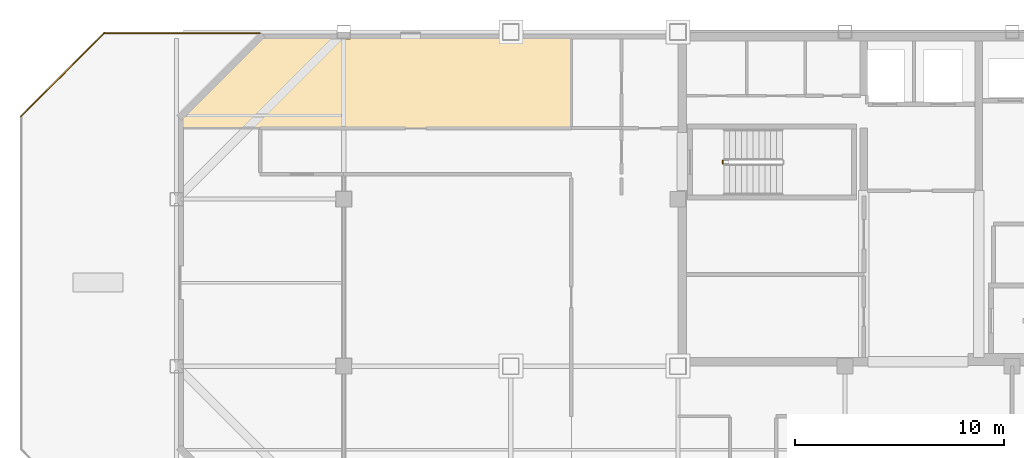
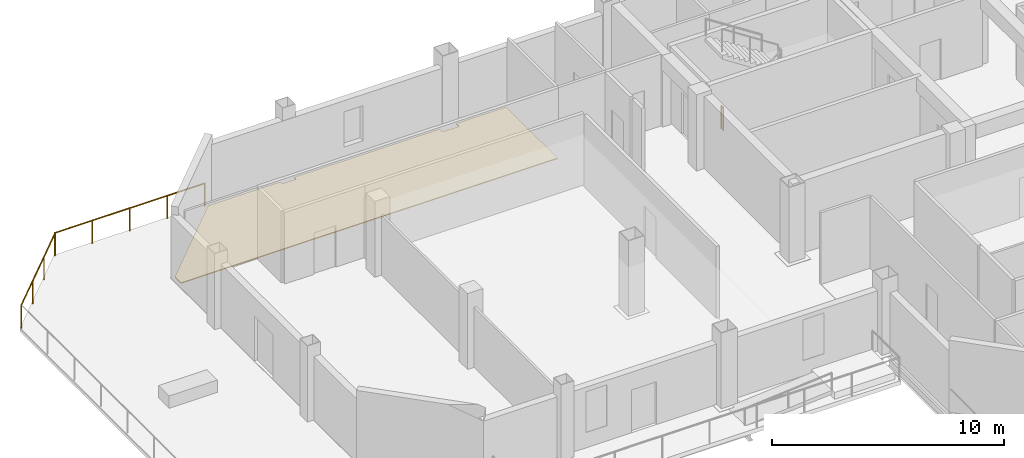
# One storey, part 7 of 8: 3 railings, 1 covering.
"""IFC4 building model written with IfcOpenShell, lengths in metres."""

from ifc_helpers import new_model, si_unit, direction, frame, origin, origin_2d, place, context, subcontext, project, spatial, polyline, circle, outline, extrude, material, layer, layer_set, type_object, element, save


model = new_model("IFC4")

# Units and contexts
model_context = context("Model", 3, precision=1e-05, world=origin(), true_north=direction((0.0, 1.0)))
body_context = subcontext(model_context, "Body", "Model", "MODEL_VIEW")
ifc_project = project(units=[si_unit("LENGTHUNIT", "METRE"), si_unit("AREAUNIT", "SQUARE_METRE"), si_unit("VOLUMEUNIT", "CUBIC_METRE"), si_unit("PLANEANGLEUNIT", "RADIAN"), si_unit("MASSUNIT", "GRAM", prefix="KILO")], contexts=[model_context])

# Site, building, storey
site_placement = place(None, origin())
site = spatial("IfcSite", under=ifc_project, at=site_placement, CompositionType="ELEMENT")
building_placement = place(site_placement, origin())
building = spatial("IfcBuilding", under=site, at=building_placement, Name="Qianrong Seaharbour Tower", CompositionType="ELEMENT")
storey_placement = place(building_placement, frame((0.0, 0.0, 287.199951171875)))
storey = spatial("IfcBuildingStorey", under=building, at=storey_placement, Name="L69", CompositionType="ELEMENT", Elevation=287.199951171875)

# Covering
ifc_material_1 = material(Name="Calcium-sulphate raised access floor tile")
ifc_layer = layer(ifc_material_1, 0.044921875)
ifc_layer_set = layer_set([ifc_layer], Name="Calcium-sulphate raised access floor tile")
covering_type = type_object("IfcCoveringType", Name="COV-FLOOR-RAISED-45", PredefinedType="FLOORING", material=ifc_layer_set)
covering_placement = place(storey_placement, origin())
element("IfcCovering", 1, at=covering_placement, inside=storey, type_object=covering_type, Name="L69 Transfer Hub Open-Plan Office Finish Flooring", PredefinedType="FLOORING", context=body_context, shape_type="SweptSolid", body=[
    extrude(outline(polyline([(16.6650390625, 47.931640625), (20.568359375, 51.8349609375), (24.1650390625, 51.8349609375), (24.1650390625, 51.6650390625), (24.8349609375, 51.6650390625), (24.8349609375, 51.8349609375), (32.090087890625, 51.8349609375), (32.090087890625, 51.590087890625), (32.909912109375, 51.590087890625), (32.909912109375, 51.8349609375), (35.39990234375, 51.8349609375), (35.39990234375, 47.39990234375), (16.6650390625, 47.39990234375), (16.6650390625, 47.931640625)])), origin(), (0.0, 0.0, 1.0), 0.045166015625),
])

# Railings
ifc_material_2 = material(Name="Galvanized painted steel SN400B stair guard", Category="steel")
railing_type_1 = type_object("IfcRailingType", Name="RAIL-STAIR-GUARD-1220", PredefinedType="GUARDRAIL", material=ifc_material_2)
railing_1_placement = place(storey_placement, frame((42.64990234375, 45.699951171875, 0.0)))
element("IfcRailing", 2, at=railing_1_placement, inside=storey, type_object=railing_type_1, Name="L69 ST-1 stair guard 4", PredefinedType="GUARDRAIL", context=body_context, shape_type="SweptSolid", body=[
    extrude(circle(Radius=0.02392578125, at=origin_2d()), frame((0.0, 0.0, 1.19580078125), z_axis=(0.0, 1.0, 0.0), x_axis=(-1.0, 0.0, 0.0)), (0.0, 0.0, 1.0), 0.150146484375),
    extrude(circle(Radius=0.02099609375, at=origin_2d()), origin(), (0.0, 0.0, 1.0), 1.171875),
    extrude(circle(Radius=0.02099609375, at=origin_2d()), frame((0.0, 0.150146484375, 0.0)), (0.0, 0.0, 1.0), 1.171875),
])
ifc_material_3 = material(Name="Stainless steel SUS316L and laminated safety glass balustrade", Category="steel")
railing_type_2 = type_object("IfcRailingType", Name="RAIL-TERRACE-GUARD-1220", PredefinedType="GUARDRAIL", material=ifc_material_3)
railing_2_placement = place(storey_placement, frame((9.04248046875, 47.95751953125, 0.0)))
element("IfcRailing", 3, at=railing_2_placement, inside=storey, type_object=railing_type_2, Name="L69 Sky Garden Perimeter Guardrail P5.2", PredefinedType="GUARDRAIL", context=body_context, shape_type="SweptSolid", body=[
    extrude(circle(Radius=0.02392578125, at=origin_2d()), frame((0.0, 0.0, 1.19580078125), z_axis=(0.707106781187, 0.707106781187, 0.0), x_axis=(-0.707106781187, 0.707106781187, 0.0)), (0.0, 0.0, 1.0), 5.65673828125),
    extrude(circle(Radius=0.02099609375, at=origin_2d()), origin(), (0.0, 0.0, 1.0), 1.171875),
    extrude(circle(Radius=0.02099609375, at=origin_2d()), frame((1.333251953125, 1.333251953125, 0.0)), (0.0, 0.0, 1.0), 1.171875),
    extrude(circle(Radius=0.02099609375, at=origin_2d()), frame((2.666748046875, 2.666748046875, 0.0)), (0.0, 0.0, 1.0), 1.171875),
    extrude(circle(Radius=0.02099609375, at=origin_2d()), frame((4.0, 4.0, 0.0)), (0.0, 0.0, 1.0), 1.171875),
])
railing_3_placement = place(storey_placement, frame((13.0, 51.93994140625, 0.0)))
element("IfcRailing", 4, at=railing_3_placement, inside=storey, type_object=railing_type_2, Name="L69 Sky Garden Perimeter Guardrail P5.3", PredefinedType="GUARDRAIL", context=body_context, shape_type="SweptSolid", body=[
    extrude(circle(Radius=0.02392578125, at=origin_2d()), frame((0.0, 0.0, 1.19580078125), z_axis=(1.0, 0.0, 0.0), x_axis=(0.0, 1.0, 0.0)), (0.0, 0.0, 1.0), 7.4716796875),
    extrude(circle(Radius=0.02099609375, at=origin_2d()), origin(), (0.0, 0.0, 1.0), 1.171875),
    extrude(circle(Radius=0.02099609375, at=origin_2d()), frame((1.867919921875, 0.0, 0.0)), (0.0, 0.0, 1.0), 1.171875),
    extrude(circle(Radius=0.02099609375, at=origin_2d()), frame((3.73583984375, 0.0, 0.0)), (0.0, 0.0, 1.0), 1.171875),
    extrude(circle(Radius=0.02099609375, at=origin_2d()), frame((5.603759765625, 0.0, 0.0)), (0.0, 0.0, 1.0), 1.171875),
    extrude(circle(Radius=0.02099609375, at=origin_2d()), frame((7.4716796875, 0.0, 0.0)), (0.0, 0.0, 1.0), 1.171875),
])

save(model, "model.ifc")
